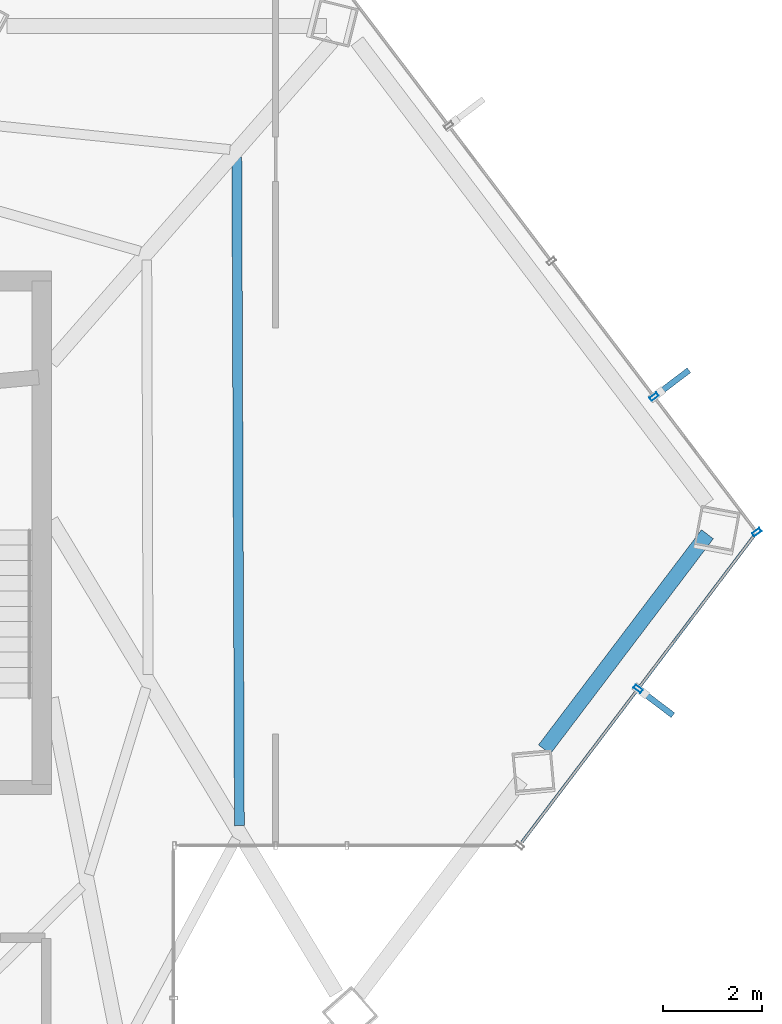
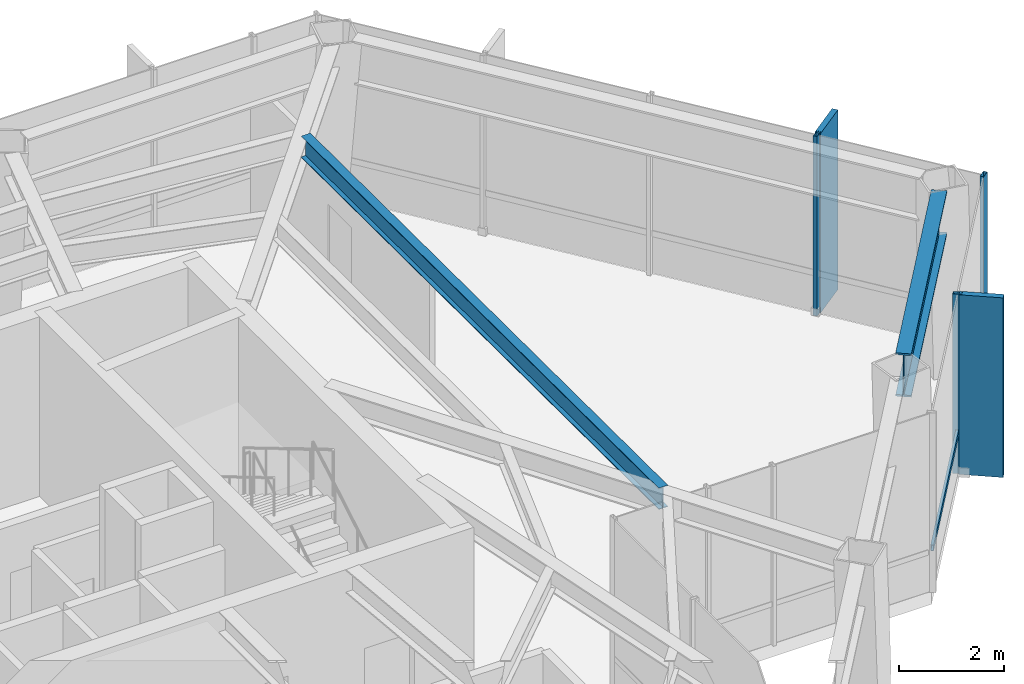
# One storey, part 18 of 25: 6 members, 2 beams, 2 elements without a shape of their own.
"""IFC4 building model written with IfcOpenShell, lengths in metres."""

from ifc_helpers import new_model, si_unit, direction, frame, origin, origin_2d, place, context, subcontext, project, spatial, rectangle, hollow_rectangle, i_section, extrude, material, layer, layer_set, material_profile, profile_set, type_object, element, aggregate, save


model = new_model("IFC4")

# Units and contexts
model_context = context("Model", 3, precision=1e-05, world=origin(), true_north=direction((0.0, 1.0)))
body_context = subcontext(model_context, "Body", "Model", "MODEL_VIEW")
ifc_project = project(units=[si_unit("LENGTHUNIT", "METRE"), si_unit("AREAUNIT", "SQUARE_METRE"), si_unit("VOLUMEUNIT", "CUBIC_METRE"), si_unit("PLANEANGLEUNIT", "RADIAN"), si_unit("MASSUNIT", "GRAM", prefix="KILO")], contexts=[model_context])

# Site, building, storey
site_placement = place(None, origin())
site = spatial("IfcSite", under=ifc_project, at=site_placement, CompositionType="ELEMENT")
building_placement = place(site_placement, origin())
building = spatial("IfcBuilding", under=site, at=building_placement, Name="Zarrinselat Tower", CompositionType="ELEMENT")
storey_placement = place(building_placement, frame((0.0, 0.0, 119.0)))
storey = spatial("IfcBuildingStorey", under=building, at=storey_placement, Name="L28", CompositionType="ELEMENT", Elevation=119.0)

# Beams
ifc_material_1 = material(Name="Steel S460M", Category="steel")
ifc_material_profile_1 = material_profile(ifc_material_1, i_section(OverallWidth=0.302001953125, OverallDepth=1.008056640625, WebThickness=0.02099609375, FlangeThickness=0.0400390625, at=origin_2d()), Name="HEM 1000")
ifc_profile_set_1 = profile_set([ifc_material_profile_1], Name="Steel S460M")
beam_type_1 = type_object("IfcBeamType", Name="BM-HEM1000", PredefinedType="BEAM", material=ifc_profile_set_1)
beam_1_placement = place(storey_placement, frame((58.443603515625, 33.96044921875, 3.676025390625), z_axis=(0.603835343733, 0.797109075132, 0.0), x_axis=(-0.797109075132, 0.603835343733, 0.0)))
element("IfcBeam", 1, at=beam_1_placement, inside=storey, type_object=beam_type_1, Name="L28 Perimeter Spandrel Girder SP14", PredefinedType="BEAM", context=body_context, shape_type="SweptSolid", body=[
    extrude(i_section(OverallWidth=0.302001953125, OverallDepth=1.008056640625, WebThickness=0.02099609375, FlangeThickness=0.0400390625, at=origin_2d()), origin(), (0.0, 0.0, 1.0), 5.469482421875),
])
ifc_material_2 = material(Name="Steel S355J2", Category="steel")
ifc_material_profile_2 = material_profile(ifc_material_2, i_section(OverallWidth=0.199951171875, OverallDepth=0.5, WebThickness=0.01025390625, FlangeThickness=0.01611328125, at=origin_2d()), Name="IPE 500")
ifc_profile_set_2 = profile_set([ifc_material_profile_2], Name="Steel S355J2")
beam_type_2 = type_object("IfcBeamType", Name="BM-IPE500", PredefinedType="JOIST", material=ifc_profile_set_2)
beam_2_placement = place(storey_placement, frame((52.21240234375, 45.95947265625, 3.929931640625), z_axis=(0.003839400654, -0.999992629474, 0.0), x_axis=(0.999992629474, 0.003839400654, 0.0)))
element("IfcBeam", 2, at=beam_2_placement, inside=storey, type_object=beam_type_2, Name="L28 Composite Floor Joist 5-1", PredefinedType="JOIST", context=body_context, shape_type="SweptSolid", body=[
    extrude(i_section(OverallWidth=0.199951171875, OverallDepth=0.5, WebThickness=0.01025390625, FlangeThickness=0.01611328125, at=origin_2d()), origin(), (0.0, 0.0, 1.0), 13.544189453125),
])

# Curtain wall, members
ifc_material_3 = material(Name="Extruded Aluminium Alloy EN AW-6063 T6", Category="aluminium")
ifc_layer = layer(ifc_material_3, 0.195068359375)
ifc_layer_set = layer_set([ifc_layer], Name="Extruded Aluminium Alloy EN AW-6063 T6")
curtain_wall_type = type_object("IfcCurtainWallType", Name="CWS-GDN", PredefinedType="NOTDEFINED", material=ifc_layer_set)
curtain_wall_1_placement = place(storey_placement, origin())
curtain_wall_1 = element("IfcCurtainWall", 3, at=curtain_wall_1_placement, inside=storey, type_object=curtain_wall_type, Name="L28 Unitised Curtain Wall CW-L28-E05", PredefinedType="NOTDEFINED")
ifc_material_4 = material(Name="Extruded Aluminium Alloy EN AW-6063 T6", Category="aluminium")
ifc_material_profile_3 = material_profile(ifc_material_4, hollow_rectangle(XDim=0.080078125, YDim=0.179931640625, WallThickness=0.0048828125, at=origin_2d()), Name="RHS 180x80x5")
ifc_profile_set_3 = profile_set([ifc_material_profile_3], Name="Extruded Aluminium Alloy EN AW-6063 T6")
member_type_1 = type_object("IfcMemberType", Name="MEM-CW-MUL", PredefinedType="MULLION", material=ifc_profile_set_3)
member_1_placement = place(storey_placement, frame((60.66650390625, 41.107421875, 0.0), z_axis=(0.0, 0.0, 1.0), x_axis=(0.603856430388, -0.797093100885, 0.0)))
member_1 = element("IfcMember", 4, at=member_1_placement, type_object=member_type_1, Name="CW-L28-E05 Mullion 3", PredefinedType="MULLION", context=body_context, shape_type="SweptSolid", body=[
    extrude(hollow_rectangle(XDim=0.080078125, YDim=0.179931640625, WallThickness=0.0048828125, at=origin_2d()), origin(), (0.0, 0.0, 1.0), 4.179931640625),
])
member_2_placement = place(storey_placement, frame((62.74658203125, 38.36181640625, 0.0), z_axis=(0.0, 0.0, 1.0), x_axis=(0.603856430388, -0.797093100885, 0.0)))
member_2 = element("IfcMember", 5, at=member_2_placement, type_object=member_type_1, Name="CW-L28-E05 Mullion 4", PredefinedType="MULLION", context=body_context, shape_type="SweptSolid", body=[
    extrude(hollow_rectangle(XDim=0.080078125, YDim=0.179931640625, WallThickness=0.0048828125, at=origin_2d()), origin(), (0.0, 0.0, 1.0), 4.179931640625),
])

curtain_wall_2_placement = place(storey_placement, origin())
curtain_wall_2 = element("IfcCurtainWall", 6, at=curtain_wall_2_placement, inside=storey, type_object=curtain_wall_type, Name="L28 Unitised Curtain Wall CW-L28-E06", PredefinedType="NOTDEFINED")
member_3_placement = place(storey_placement, frame((60.34228515625, 35.188232421875, 0.0), z_axis=(0.0, 0.0, 1.0), x_axis=(-0.60386042105, -0.79709007765, 0.0)))
member_3 = element("IfcMember", 7, at=member_3_placement, type_object=member_type_1, Name="CW-L28-E06 Mullion 1", PredefinedType="MULLION", context=body_context, shape_type="SweptSolid", body=[
    extrude(hollow_rectangle(XDim=0.080078125, YDim=0.179931640625, WallThickness=0.0048828125, at=origin_2d()), origin(), (0.0, 0.0, 1.0), 4.179931640625),
])
ifc_material_5 = material(Name="Extruded Aluminium Alloy EN AW-6063 T6", Category="aluminium")
ifc_material_profile_4 = material_profile(ifc_material_5, hollow_rectangle(XDim=0.06005859375, YDim=0.139892578125, WallThickness=0.00390625, at=origin_2d()), Name="RHS 140x60x4")
ifc_profile_set_4 = profile_set([ifc_material_profile_4], Name="Extruded Aluminium Alloy EN AW-6063 T6")
member_type_2 = type_object("IfcMemberType", Name="MEM-CW-TRN", PredefinedType="USERDEFINED", material=ifc_profile_set_4)
member_4_placement = place(storey_placement, frame((62.692138671875, 38.2900390625, 0.949951171875), z_axis=(-0.603852856105, -0.797095808654, 0.0), x_axis=(0.797095808654, -0.603852856105, 0.0)))
member_4 = element("IfcMember", 8, at=member_4_placement, type_object=member_type_2, Name="CW-L28-E06 Transom 1", ObjectType="TRANSOM", PredefinedType="USERDEFINED", context=body_context, shape_type="SweptSolid", body=[
    extrude(hollow_rectangle(XDim=0.06005859375, YDim=0.139892578125, WallThickness=0.00390625, at=origin_2d()), origin(), (0.0, 0.0, 1.0), 7.782470703125),
])

# Member
ifc_material_6 = material(Name="Honed Cream Travertine Stone", Category="masonry")
ifc_material_profile_5 = material_profile(ifc_material_6, rectangle(XDim=0.1201171875, YDim=0.85009765625, at=origin_2d()), Name="FIN 850x120")
ifc_profile_set_5 = profile_set([ifc_material_profile_5], Name="Honed Cream Travertine Stone")
member_type_3 = type_object("IfcMemberType", Name="MEM-STONE-FIN", PredefinedType="USERDEFINED", material=ifc_profile_set_5)
member_5_placement = place(storey_placement, frame((61.033203125, 41.38525390625, 0.0), z_axis=(0.0, 0.0, 1.0), x_axis=(0.603856430388, -0.797093100885, 0.0)))
member_5 = element("IfcMember", 9, at=member_5_placement, type_object=member_type_3, Name="L28 Stone Shading Fin CW-L28-E05-03", ObjectType="FIN", PredefinedType="USERDEFINED", context=body_context, shape_type="SweptSolid", body=[
    extrude(rectangle(XDim=0.1201171875, YDim=0.85009765625, at=origin_2d()), origin(), (0.0, 0.0, 1.0), 4.179931640625),
])

aggregate(curtain_wall_1, [member_1, member_5, member_2])

member_6_placement = place(storey_placement, frame((60.708984375, 34.910400390625, 0.0), z_axis=(0.0, 0.0, 1.0), x_axis=(-0.60386042105, -0.79709007765, 0.0)))
member_6 = element("IfcMember", 10, at=member_6_placement, type_object=member_type_3, Name="L28 Stone Shading Fin CW-L28-E06-01", ObjectType="FIN", PredefinedType="USERDEFINED", context=body_context, shape_type="SweptSolid", body=[
    extrude(rectangle(XDim=0.1201171875, YDim=0.85009765625, at=origin_2d()), origin(), (0.0, 0.0, 1.0), 4.179931640625),
])

aggregate(curtain_wall_2, [member_3, member_6, member_4])

save(model, "model.ifc")
